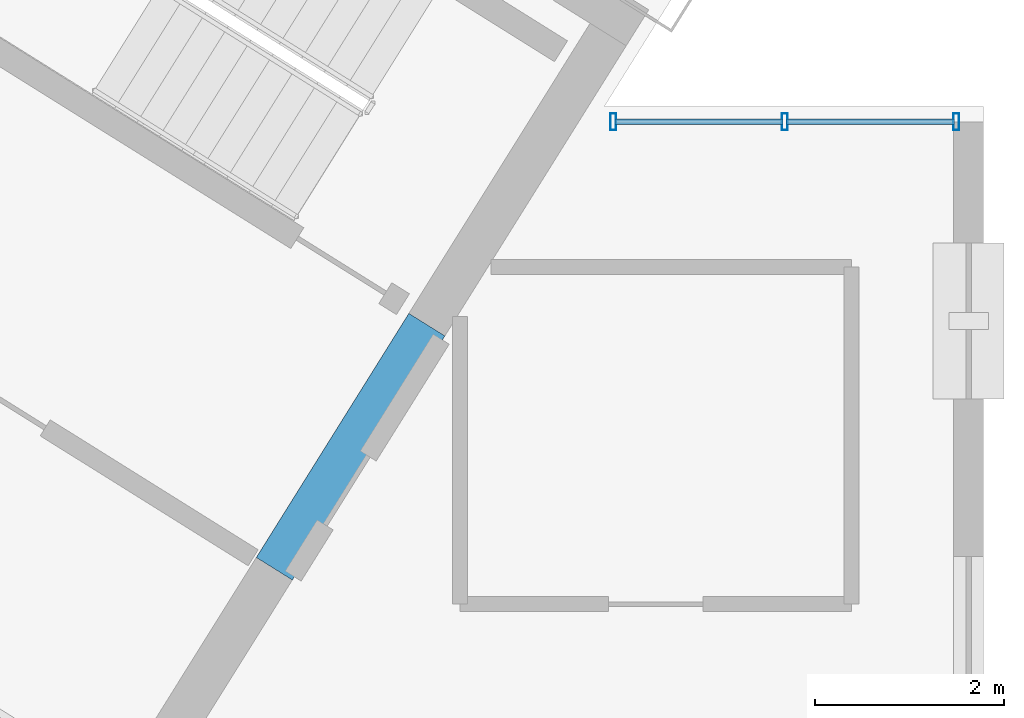
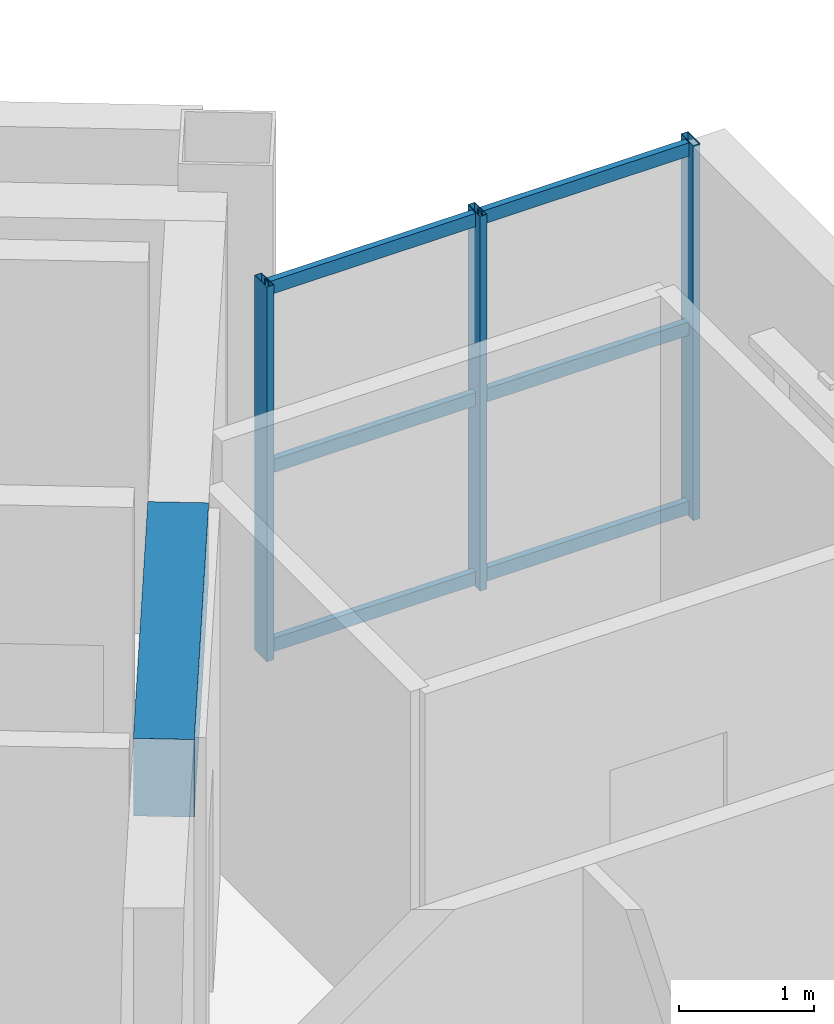
# One storey, part 6 of 15: 9 members, 1 beam, 1 element without a shape of its own.
"""IFC4 building model written with IfcOpenShell, lengths in metres."""

from ifc_helpers import new_model, si_unit, direction, frame, origin, origin_2d, place, context, subcontext, project, spatial, rectangle, hollow_rectangle, extrude, source, transform, mapped, material, material_profile, profile_set, type_object, element, aggregate, save


model = new_model("IFC4")

# Units and contexts
model_context = context("Model", 3, precision=1e-05, world=origin(), true_north=direction((0.0, 1.0)))
body_context = subcontext(model_context, "Body", "Model", "MODEL_VIEW")
ifc_project = project(units=[si_unit("LENGTHUNIT", "METRE"), si_unit("AREAUNIT", "SQUARE_METRE"), si_unit("VOLUMEUNIT", "CUBIC_METRE"), si_unit("PLANEANGLEUNIT", "RADIAN"), si_unit("MASSUNIT", "GRAM", prefix="KILO")], contexts=[model_context])

# Site, building, storey
site_placement = place(None, origin())
site = spatial("IfcSite", under=ifc_project, at=site_placement, CompositionType="ELEMENT")
building_placement = place(site_placement, origin())
building = spatial("IfcBuilding", under=site, at=building_placement, Name="Tlacorven Tower", CompositionType="ELEMENT")
storey_placement = place(building_placement, frame((0.0, 0.0, 266.39990234375)))
storey = spatial("IfcBuildingStorey", under=building, at=storey_placement, Name="L67", CompositionType="ELEMENT", Elevation=266.39990234375)

# Beam
ifc_material_1 = material(Name="Concrete C60/75", Category="concrete")
ifc_material_profile_1 = material_profile(ifc_material_1, rectangle(XDim=0.449951171875, YDim=0.699951171875, at=origin_2d()), Name="RC 450X700")
ifc_profile_set_1 = profile_set([ifc_material_profile_1], Name="Concrete C60/75")
beam_type = type_object("IfcBeamType", Name="BM-LNT-700", PredefinedType="LINTEL", material=ifc_profile_set_1)
shared_shape_1 = source(origin(), body_context, "Body", "SweptSolid", [
    extrude(rectangle(XDim=0.449951171875, YDim=0.699951171875, at=origin_2d()), origin(), (0.0, 0.0, 1.0), 3.050048828125),
])
beam_placement = place(storey_placement, frame((38.2998046875, 20.890625, 3.0), z_axis=(-0.529984549635, -0.848007297815, 0.0), x_axis=(0.848007297815, -0.529984549635, 0.0)))
element("IfcBeam", 1, at=beam_placement, inside=storey, type_object=beam_type, Name="L67 W core coupling lintel beam E1", PredefinedType="LINTEL", context=body_context, shape_type="MappedRepresentation", body=[
    mapped(shared_shape_1, transform((0.0, 0.0, 0.0), scale=1.0)),
])

# Curtain wall, members
ifc_material_2 = material(Name="Dark solar low-E double glazing in aluminium frame", Category="aluminium")
curtain_wall_type = type_object("IfcCurtainWallType", Name="CW-TWR-HIGH", PredefinedType="USERDEFINED", material=ifc_material_2)
curtain_wall_placement = place(storey_placement, origin())
curtain_wall = element("IfcCurtainWall", 2, at=curtain_wall_placement, inside=storey, type_object=curtain_wall_type, Name="L67 CW-TWR-HIGH Curtain Wall 313", ObjectType="UNITISED CURTAIN WALL", PredefinedType="USERDEFINED")
ifc_material_3 = material(Name="Aluminium 6063-T6 anodised", Category="aluminium")
ifc_material_profile_2 = material_profile(ifc_material_3, hollow_rectangle(XDim=0.06005859375, YDim=0.179931640625, WallThickness=0.00390625, at=origin_2d()), Name="ALU MULLION 60X180")
ifc_profile_set_2 = profile_set([ifc_material_profile_2], Name="Aluminium 6063-T6 anodised")
member_type_1 = type_object("IfcMemberType", Name="CWM-03", PredefinedType="MULLION", material=ifc_profile_set_2)
shared_shape_2 = source(origin(), body_context, "Body", "SweptSolid", [
    extrude(hollow_rectangle(XDim=0.06005859375, YDim=0.179931640625, WallThickness=0.00390625, at=origin_2d()), origin(), (0.0, 0.0, 1.0), 3.380126953125),
])
member_1_placement = place(storey_placement, frame((40.27392578125, 23.0400390625, -0.02001953125), z_axis=(0.0, 0.0, 1.0), x_axis=(1.0, 0.0, 0.0)))
member_1 = element("IfcMember", 3, at=member_1_placement, type_object=member_type_1, Name="CW-L67-313 Mullion 1", PredefinedType="MULLION", context=body_context, shape_type="MappedRepresentation", body=[
    mapped(shared_shape_2, transform((0.0, 0.0, 0.0), scale=1.0)),
])
member_2_placement = place(storey_placement, frame((42.092041015625, 23.0400390625, -0.02001953125), z_axis=(0.0, 0.0, 1.0), x_axis=(1.0, 0.0, 0.0)))
member_2 = element("IfcMember", 4, at=member_2_placement, type_object=member_type_1, Name="CW-L67-313 Mullion 2", PredefinedType="MULLION", context=body_context, shape_type="MappedRepresentation", body=[
    mapped(shared_shape_2, transform((0.0, 0.0, 0.0), scale=1.0)),
])
member_3_placement = place(storey_placement, frame((43.909912109375, 23.0400390625, -0.02001953125), z_axis=(0.0, 0.0, 1.0), x_axis=(1.0, 0.0, 0.0)))
member_3 = element("IfcMember", 5, at=member_3_placement, type_object=member_type_1, Name="CW-L67-313 Mullion 3", PredefinedType="MULLION", context=body_context, shape_type="MappedRepresentation", body=[
    mapped(shared_shape_2, transform((0.0, 0.0, 0.0), scale=1.0)),
])
ifc_material_profile_3 = material_profile(ifc_material_3, hollow_rectangle(XDim=0.054931640625, YDim=0.1201171875, WallThickness=0.00341796875, at=origin_2d()), Name="ALU TRANSOM 55X120")
ifc_profile_set_3 = profile_set([ifc_material_profile_3], Name="Aluminium 6063-T6 anodised")
member_type_2 = type_object("IfcMemberType", Name="CWT-03", PredefinedType="USERDEFINED", material=ifc_profile_set_3)
shared_shape_3 = source(origin(), body_context, "Body", "SweptSolid", [
    extrude(hollow_rectangle(XDim=0.054931640625, YDim=0.1201171875, WallThickness=0.00341796875, at=origin_2d()), origin(), (0.0, 0.0, 1.0), 1.781982421875),
])
member_4_placement = place(storey_placement, frame((40.2919921875, 23.0400390625, 0.06005859375), z_axis=(1.0, 0.0, 0.0), x_axis=(0.0, 1.0, 0.0)))
member_4 = element("IfcMember", 6, at=member_4_placement, type_object=member_type_2, Name="CW-L67-313 Transom 1", ObjectType="TRANSOM", PredefinedType="USERDEFINED", context=body_context, shape_type="MappedRepresentation", body=[
    mapped(shared_shape_3, transform((0.0, 0.0, 0.0), scale=1.0)),
])
member_5_placement = place(storey_placement, frame((40.2919921875, 23.0400390625, 1.675048828125), z_axis=(1.0, 0.0, 0.0), x_axis=(0.0, 1.0, 0.0)))
member_5 = element("IfcMember", 7, at=member_5_placement, type_object=member_type_2, Name="CW-L67-313 Transom 2", ObjectType="TRANSOM", PredefinedType="USERDEFINED", context=body_context, shape_type="MappedRepresentation", body=[
    mapped(shared_shape_3, transform((0.0, 0.0, 0.0), scale=1.0)),
])
member_6_placement = place(storey_placement, frame((40.2919921875, 23.0400390625, 3.2900390625), z_axis=(1.0, 0.0, 0.0), x_axis=(0.0, 1.0, 0.0)))
member_6 = element("IfcMember", 8, at=member_6_placement, type_object=member_type_2, Name="CW-L67-313 Transom 3", ObjectType="TRANSOM", PredefinedType="USERDEFINED", context=body_context, shape_type="MappedRepresentation", body=[
    mapped(shared_shape_3, transform((0.0, 0.0, 0.0), scale=1.0)),
])
shared_shape_4 = source(origin(), body_context, "Body", "SweptSolid", [
    extrude(hollow_rectangle(XDim=0.054931640625, YDim=0.1201171875, WallThickness=0.00341796875, at=origin_2d()), origin(), (0.0, 0.0, 1.0), 1.7822265625),
])
member_7_placement = place(storey_placement, frame((42.10986328125, 23.0400390625, 0.06005859375), z_axis=(1.0, 0.0, 0.0), x_axis=(0.0, 1.0, 0.0)))
member_7 = element("IfcMember", 9, at=member_7_placement, type_object=member_type_2, Name="CW-L67-313 Transom 4", ObjectType="TRANSOM", PredefinedType="USERDEFINED", context=body_context, shape_type="MappedRepresentation", body=[
    mapped(shared_shape_4, transform((0.0, 0.0, 0.0), scale=1.0)),
])
member_8_placement = place(storey_placement, frame((42.10986328125, 23.0400390625, 1.675048828125), z_axis=(1.0, 0.0, 0.0), x_axis=(0.0, 1.0, 0.0)))
member_8 = element("IfcMember", 10, at=member_8_placement, type_object=member_type_2, Name="CW-L67-313 Transom 5", ObjectType="TRANSOM", PredefinedType="USERDEFINED", context=body_context, shape_type="MappedRepresentation", body=[
    mapped(shared_shape_4, transform((0.0, 0.0, 0.0), scale=1.0)),
])
member_9_placement = place(storey_placement, frame((42.10986328125, 23.0400390625, 3.2900390625), z_axis=(1.0, 0.0, 0.0), x_axis=(0.0, 1.0, 0.0)))
member_9 = element("IfcMember", 11, at=member_9_placement, type_object=member_type_2, Name="CW-L67-313 Transom 6", ObjectType="TRANSOM", PredefinedType="USERDEFINED", context=body_context, shape_type="MappedRepresentation", body=[
    mapped(shared_shape_4, transform((0.0, 0.0, 0.0), scale=1.0)),
])
aggregate(curtain_wall, [member_1, member_2, member_3, member_4, member_5, member_6, member_7, member_8, member_9])

save(model, "model.ifc")
